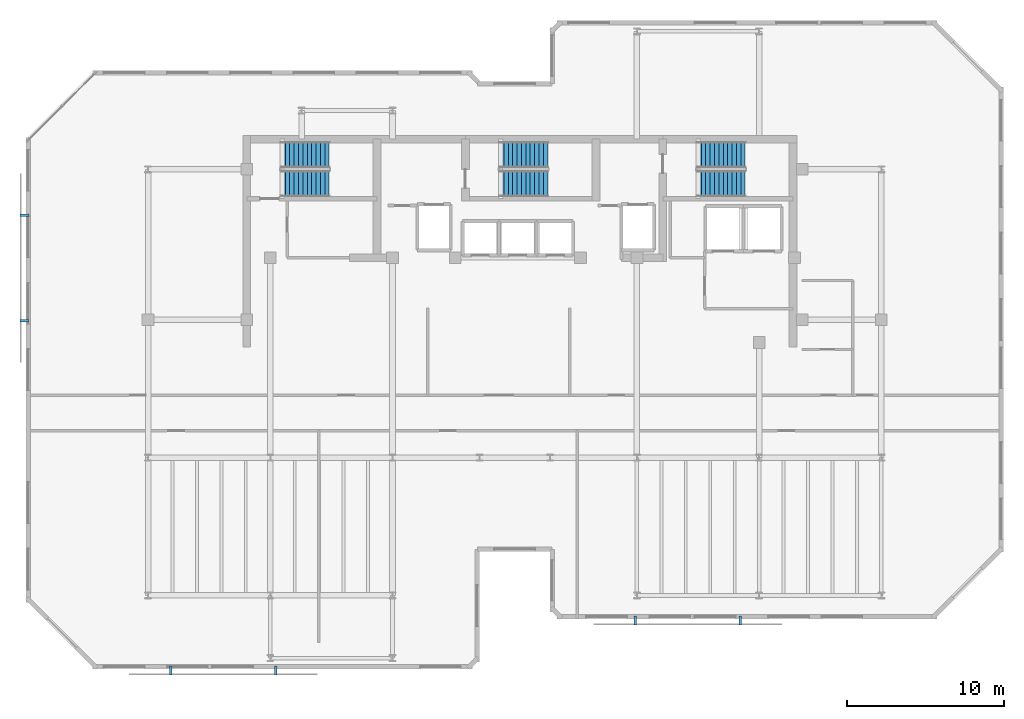
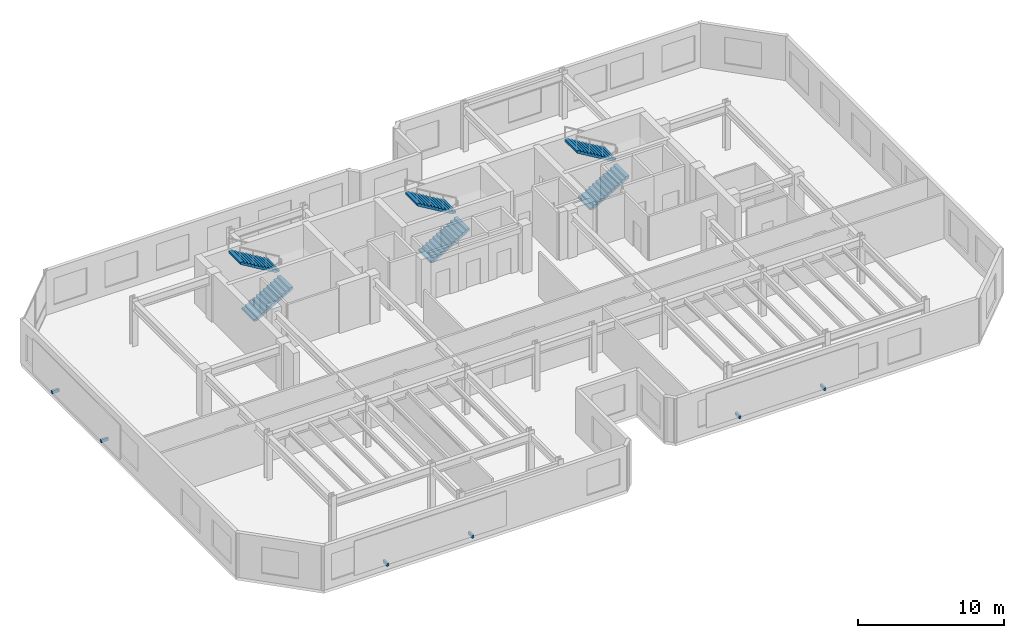
# One storey, part 7 of 9: 6 discrete accessories, 6 stair flights, 3 elements without a shape of their own.
"""IFC4 building model written with IfcOpenShell, lengths in metres."""

from ifc_helpers import new_model, si_unit, direction, frame, origin, origin_2d, place, context, subcontext, project, spatial, polyline, rectangle, outline, extrude, material, type_object, element, aggregate, save


model = new_model("IFC4")

# Units and contexts
model_context = context("Model", 3, precision=1e-05, world=origin(), true_north=direction((0.0, 1.0)))
body_context = subcontext(model_context, "Body", "Model", "MODEL_VIEW")
ifc_project = project(units=[si_unit("LENGTHUNIT", "METRE"), si_unit("AREAUNIT", "SQUARE_METRE"), si_unit("VOLUMEUNIT", "CUBIC_METRE"), si_unit("PLANEANGLEUNIT", "RADIAN"), si_unit("MASSUNIT", "GRAM", prefix="KILO")], contexts=[model_context])

# Site, building, storey
site_placement = place(None, origin())
site = spatial("IfcSite", under=ifc_project, at=site_placement, CompositionType="ELEMENT")
building_placement = place(site_placement, origin())
building = spatial("IfcBuilding", under=site, at=building_placement, Name="Kestravale Grand Hotel", CompositionType="ELEMENT")
storey_placement = place(building_placement, frame((0.0, 0.0, 293.39990234375)))
storey = spatial("IfcBuildingStorey", under=building, at=storey_placement, Name="L73", CompositionType="ELEMENT", Elevation=293.39990234375)

# Stair, stair flights
ifc_material_1 = material(Name="Concrete f'c 45 MPa", Category="concrete")
stair_type = type_object("IfcStairType", Name="ST-CORE-400", PredefinedType="HALF_TURN_STAIR", material=ifc_material_1)
stair_1_placement = place(storey_placement, origin())
stair_1 = element("IfcStair", 1, at=stair_1_placement, inside=storey, type_object=stair_type, Name="L73 ST-1", PredefinedType="HALF_TURN_STAIR")
ifc_material_2 = material(Name="Concrete f'c 45 MPa", Category="concrete")
stair_flight_type = type_object("IfcStairFlightType", Name="STF-CORE-400", PredefinedType="STRAIGHT", material=ifc_material_2)
stair_flight_1_placement = place(storey_placement, frame((24.080078125, 37.489990234375, 0.0), z_axis=(0.0, 0.0, 1.0), x_axis=(1.0, 0.0, 0.0)))
stair_flight_1 = element("IfcStairFlight", 2, at=stair_flight_1_placement, type_object=stair_flight_type, Name="ST-1 flight 1", NumberOfRisers=12, NumberOfTreads=11, PredefinedType="STRAIGHT", RiserHeight=0.166666667, TreadLength=0.28, context=body_context, shape_type="SweptSolid", body=[
    extrude(outline(polyline([(0.0, 0.0), (0.0, 0.166748046875), (0.280029296875, 0.166748046875), (0.280029296875, 0.333251953125), (0.56005859375, 0.333251953125), (0.56005859375, 0.5), (0.840087890625, 0.5), (0.840087890625, 0.666748046875), (1.1201171875, 0.666748046875), (1.1201171875, 0.833251953125), (1.39990234375, 0.833251953125), (1.39990234375, 1.0), (1.679931640625, 1.0), (1.679931640625, 1.166748046875), (1.9599609375, 1.166748046875), (1.9599609375, 1.333251953125), (2.239990234375, 1.333251953125), (2.239990234375, 1.5), (2.52001953125, 1.5), (2.52001953125, 1.666748046875), (2.800048828125, 1.666748046875), (2.800048828125, 1.833251953125), (3.080078125, 1.833251953125), (3.080078125, 2.0), (3.080078125, 1.658935546875), (0.29296875, 0.0), (0.0, 0.0)])), frame((0.0, 0.83984375, 0.0), z_axis=(0.0, -1.0, 0.0), x_axis=(1.0, 0.0, 0.0)), (0.0, 0.0, 1.0), 1.679931640625),
])
stair_flight_2_placement = place(storey_placement, frame((27.159912109375, 39.320068359375, 2.0), z_axis=(0.0, 0.0, 1.0), x_axis=(-1.0, 0.0, 0.0)))
stair_flight_2 = element("IfcStairFlight", 3, at=stair_flight_2_placement, type_object=stair_flight_type, Name="ST-1 flight 2", NumberOfRisers=12, NumberOfTreads=11, PredefinedType="STRAIGHT", RiserHeight=0.166666667, TreadLength=0.28, context=body_context, shape_type="SweptSolid", body=[
    extrude(outline(polyline([(0.0, 0.0), (0.0, 0.166748046875), (0.280029296875, 0.166748046875), (0.280029296875, 0.333251953125), (0.56005859375, 0.333251953125), (0.56005859375, 0.5), (0.840087890625, 0.5), (0.840087890625, 0.666748046875), (1.1201171875, 0.666748046875), (1.1201171875, 0.833251953125), (1.39990234375, 0.833251953125), (1.39990234375, 1.0), (1.679931640625, 1.0), (1.679931640625, 1.166748046875), (1.9599609375, 1.166748046875), (1.9599609375, 1.333251953125), (2.239990234375, 1.333251953125), (2.239990234375, 1.5), (2.52001953125, 1.5), (2.52001953125, 1.666748046875), (2.800048828125, 1.666748046875), (2.800048828125, 1.833251953125), (3.080078125, 1.833251953125), (3.080078125, 2.0), (3.080078125, 1.658935546875), (0.29296875, 0.0), (0.0, 0.0)])), frame((0.0, 0.83984375, 0.0), z_axis=(0.0, -1.0, 0.0), x_axis=(1.0, 0.0, 0.0)), (0.0, 0.0, 1.0), 1.679931640625),
])
aggregate(stair_1, [stair_flight_1, stair_flight_2])

stair_2_placement = place(storey_placement, origin())
stair_2 = element("IfcStair", 4, at=stair_2_placement, inside=storey, type_object=stair_type, Name="L73 ST-2", PredefinedType="HALF_TURN_STAIR")
stair_flight_3_placement = place(storey_placement, frame((38.030029296875, 37.489990234375, 0.0), z_axis=(0.0, 0.0, 1.0), x_axis=(1.0, 0.0, 0.0)))
stair_flight_3 = element("IfcStairFlight", 5, at=stair_flight_3_placement, type_object=stair_flight_type, Name="ST-2 flight 1", NumberOfRisers=12, NumberOfTreads=11, PredefinedType="STRAIGHT", RiserHeight=0.166666667, TreadLength=0.28, context=body_context, shape_type="SweptSolid", body=[
    extrude(outline(polyline([(0.0, 0.0), (0.0, 0.166748046875), (0.280029296875, 0.166748046875), (0.280029296875, 0.333251953125), (0.56005859375, 0.333251953125), (0.56005859375, 0.5), (0.840087890625, 0.5), (0.840087890625, 0.666748046875), (1.1201171875, 0.666748046875), (1.1201171875, 0.833251953125), (1.39990234375, 0.833251953125), (1.39990234375, 1.0), (1.679931640625, 1.0), (1.679931640625, 1.166748046875), (1.9599609375, 1.166748046875), (1.9599609375, 1.333251953125), (2.239990234375, 1.333251953125), (2.239990234375, 1.5), (2.52001953125, 1.5), (2.52001953125, 1.666748046875), (2.800048828125, 1.666748046875), (2.800048828125, 1.833251953125), (3.080078125, 1.833251953125), (3.080078125, 2.0), (3.080078125, 1.658935546875), (0.29296875, 0.0), (0.0, 0.0)])), frame((0.0, 0.83984375, 0.0), z_axis=(0.0, -1.0, 0.0), x_axis=(1.0, 0.0, 0.0)), (0.0, 0.0, 1.0), 1.679931640625),
])
stair_flight_4_placement = place(storey_placement, frame((41.110107421875, 39.320068359375, 2.0), z_axis=(0.0, 0.0, 1.0), x_axis=(-1.0, 0.0, 0.0)))
stair_flight_4 = element("IfcStairFlight", 6, at=stair_flight_4_placement, type_object=stair_flight_type, Name="ST-2 flight 2", NumberOfRisers=12, NumberOfTreads=11, PredefinedType="STRAIGHT", RiserHeight=0.166666667, TreadLength=0.28, context=body_context, shape_type="SweptSolid", body=[
    extrude(outline(polyline([(0.0, 0.0), (0.0, 0.166748046875), (0.280029296875, 0.166748046875), (0.280029296875, 0.333251953125), (0.56005859375, 0.333251953125), (0.56005859375, 0.5), (0.840087890625, 0.5), (0.840087890625, 0.666748046875), (1.1201171875, 0.666748046875), (1.1201171875, 0.833251953125), (1.39990234375, 0.833251953125), (1.39990234375, 1.0), (1.679931640625, 1.0), (1.679931640625, 1.166748046875), (1.9599609375, 1.166748046875), (1.9599609375, 1.333251953125), (2.239990234375, 1.333251953125), (2.239990234375, 1.5), (2.52001953125, 1.5), (2.52001953125, 1.666748046875), (2.800048828125, 1.666748046875), (2.800048828125, 1.833251953125), (3.080078125, 1.833251953125), (3.080078125, 2.0), (3.080078125, 1.658935546875), (0.29296875, 0.0), (0.0, 0.0)])), frame((0.0, 0.83984375, 0.0), z_axis=(0.0, -1.0, 0.0), x_axis=(1.0, 0.0, 0.0)), (0.0, 0.0, 1.0), 1.679931640625),
])
aggregate(stair_2, [stair_flight_3, stair_flight_4])

stair_3_placement = place(storey_placement, origin())
stair_3 = element("IfcStair", 7, at=stair_3_placement, inside=storey, type_object=stair_type, Name="L73 ST-3", PredefinedType="HALF_TURN_STAIR")
stair_flight_5_placement = place(storey_placement, frame((50.6298828125, 37.489990234375, 0.0), z_axis=(0.0, 0.0, 1.0), x_axis=(1.0, 0.0, 0.0)))
stair_flight_5 = element("IfcStairFlight", 8, at=stair_flight_5_placement, type_object=stair_flight_type, Name="ST-3 flight 1", NumberOfRisers=12, NumberOfTreads=11, PredefinedType="STRAIGHT", RiserHeight=0.166666667, TreadLength=0.28, context=body_context, shape_type="SweptSolid", body=[
    extrude(outline(polyline([(0.0, 0.0), (0.0, 0.166748046875), (0.280029296875, 0.166748046875), (0.280029296875, 0.333251953125), (0.56005859375, 0.333251953125), (0.56005859375, 0.5), (0.840087890625, 0.5), (0.840087890625, 0.666748046875), (1.1201171875, 0.666748046875), (1.1201171875, 0.833251953125), (1.39990234375, 0.833251953125), (1.39990234375, 1.0), (1.679931640625, 1.0), (1.679931640625, 1.166748046875), (1.9599609375, 1.166748046875), (1.9599609375, 1.333251953125), (2.239990234375, 1.333251953125), (2.239990234375, 1.5), (2.52001953125, 1.5), (2.52001953125, 1.666748046875), (2.800048828125, 1.666748046875), (2.800048828125, 1.833251953125), (3.080078125, 1.833251953125), (3.080078125, 2.0), (3.080078125, 1.658935546875), (0.29296875, 0.0), (0.0, 0.0)])), frame((0.0, 0.83984375, 0.0), z_axis=(0.0, -1.0, 0.0), x_axis=(1.0, 0.0, 0.0)), (0.0, 0.0, 1.0), 1.679931640625),
])
stair_flight_6_placement = place(storey_placement, frame((53.7099609375, 39.320068359375, 2.0), z_axis=(0.0, 0.0, 1.0), x_axis=(-1.0, 0.0, 0.0)))
stair_flight_6 = element("IfcStairFlight", 9, at=stair_flight_6_placement, type_object=stair_flight_type, Name="ST-3 flight 2", NumberOfRisers=12, NumberOfTreads=11, PredefinedType="STRAIGHT", RiserHeight=0.166666667, TreadLength=0.28, context=body_context, shape_type="SweptSolid", body=[
    extrude(outline(polyline([(0.0, 0.0), (0.0, 0.166748046875), (0.280029296875, 0.166748046875), (0.280029296875, 0.333251953125), (0.56005859375, 0.333251953125), (0.56005859375, 0.5), (0.840087890625, 0.5), (0.840087890625, 0.666748046875), (1.1201171875, 0.666748046875), (1.1201171875, 0.833251953125), (1.39990234375, 0.833251953125), (1.39990234375, 1.0), (1.679931640625, 1.0), (1.679931640625, 1.166748046875), (1.9599609375, 1.166748046875), (1.9599609375, 1.333251953125), (2.239990234375, 1.333251953125), (2.239990234375, 1.5), (2.52001953125, 1.5), (2.52001953125, 1.666748046875), (2.800048828125, 1.666748046875), (2.800048828125, 1.833251953125), (3.080078125, 1.833251953125), (3.080078125, 2.0), (3.080078125, 1.658935546875), (0.29296875, 0.0), (0.0, 0.0)])), frame((0.0, 0.83984375, 0.0), z_axis=(0.0, -1.0, 0.0), x_axis=(1.0, 0.0, 0.0)), (0.0, 0.0, 1.0), 1.679931640625),
])
aggregate(stair_3, [stair_flight_5, stair_flight_6])

# Discrete accessories
ifc_material_3 = material(Name="Steel ASTM A572 Grade 50 hot-dip galvanised bracket", Category="steel")
discrete_accessory_type = type_object("IfcDiscreteAccessoryType", Name="ACC-BRK-STL", PredefinedType="BRACKET", material=ifc_material_3)
for number, where, z_axis, x_axis, name in (
    (10, (17.0400390625, 6.405029296875, 0.56005859375), (0.0, 0.0, 1.0), (1.0, 0.0, 0.0), "L73 solar screen standoff bracket 1"),
    (11, (23.760009765625, 6.405029296875, 0.56005859375), (0.0, 0.0, 1.0), (1.0, 0.0, 0.0), "L73 solar screen standoff bracket 2"),
    (12, (46.68994140625, 9.60498046875, 0.56005859375), (0.0, 0.0, 1.0), (1.0, 0.0, 0.0), "L73 solar screen standoff bracket 1"),
    (13, (53.409912109375, 9.60498046875, 0.56005859375), (0.0, 0.0, 1.0), (1.0, 0.0, 0.0), "L73 solar screen standoff bracket 2"),
    (14, (7.705078125, 35.4599609375, 0.56005859375), (0.0, 0.0, 1.0), (0.0, -1.0, 0.0), "L73 solar screen standoff bracket 1"),
    (15, (7.705078125, 28.739990234375, 0.56005859375), (0.0, 0.0, 1.0), (0.0, -1.0, 0.0), "L73 solar screen standoff bracket 2"),
):
    element("IfcDiscreteAccessory", number, at=place(storey_placement, frame(where, z_axis=z_axis, x_axis=x_axis)), inside=storey, type_object=discrete_accessory_type, Name=name, PredefinedType="BRACKET", context=body_context, shape_type="SweptSolid", body=[
        extrude(rectangle(XDim=0.159912109375, YDim=0.56005859375, at=origin_2d()), origin(), (0.0, 0.0, 1.0), 0.239990234375),
    ])

save(model, "model.ifc")
